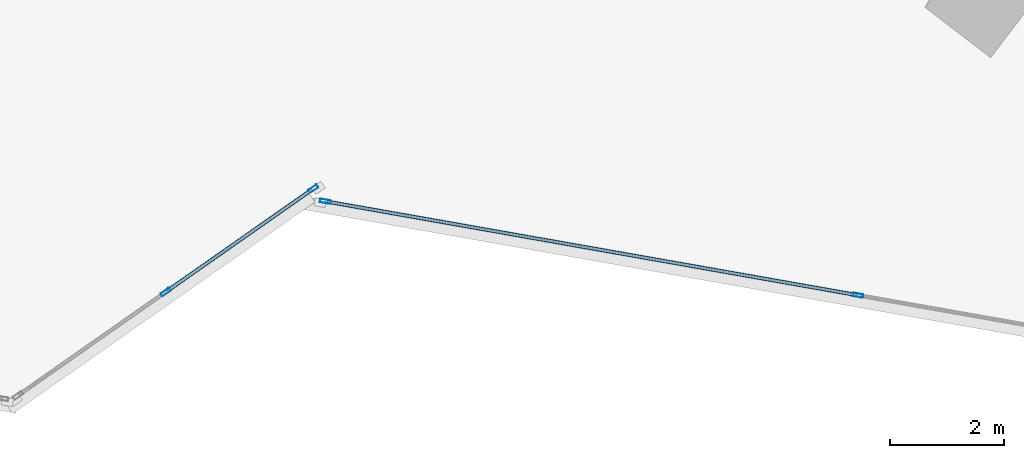
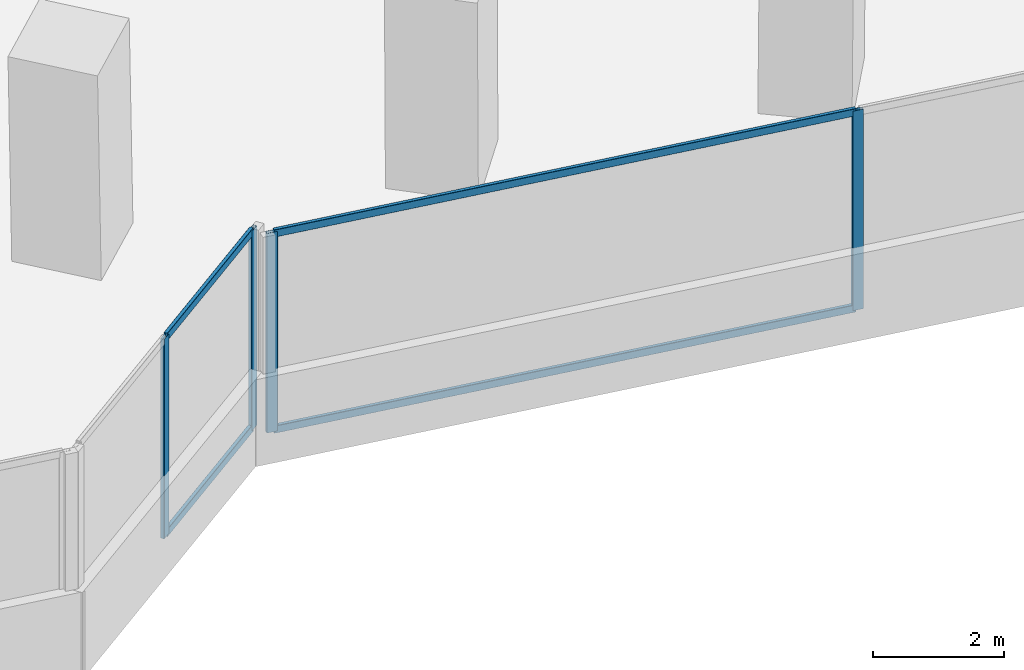
# One storey, part 7 of 24: 8 members, 2 elements without a shape of their own.
"""IFC4 building model written with IfcOpenShell, lengths in metres."""

from ifc_helpers import new_model, si_unit, direction, frame, origin, origin_2d, place, context, subcontext, project, spatial, hollow_rectangle, extrude, source, transform, mapped, material, material_profile, profile_set, type_object, element, aggregate, save


model = new_model("IFC4")

# Units and contexts
model_context = context("Model", 3, precision=1e-05, world=origin(), true_north=direction((0.0, 1.0)))
body_context = subcontext(model_context, "Body", "Model", "MODEL_VIEW")
ifc_project = project(units=[si_unit("LENGTHUNIT", "METRE"), si_unit("AREAUNIT", "SQUARE_METRE"), si_unit("VOLUMEUNIT", "CUBIC_METRE"), si_unit("PLANEANGLEUNIT", "RADIAN"), si_unit("MASSUNIT", "GRAM", prefix="KILO")], contexts=[model_context])

# Site, building, storey
site_placement = place(None, origin())
site = spatial("IfcSite", under=ifc_project, at=site_placement, CompositionType="ELEMENT")
building_placement = place(site_placement, origin())
building = spatial("IfcBuilding", under=site, at=building_placement, Name="Torre Montelarca", CompositionType="ELEMENT")
storey_placement = place(building_placement, frame((0.0, 0.0, 79.0)))
storey = spatial("IfcBuildingStorey", under=building, at=storey_placement, Name="L17", CompositionType="ELEMENT", Elevation=79.0)

# Curtain wall, members
ifc_material_1 = material(Name="Insulated low-E laminated glass", Category="glass")
curtain_wall_type = type_object("IfcCurtainWallType", Name="CW-SYS-Z1", PredefinedType="USERDEFINED", material=ifc_material_1)
curtain_wall_1_placement = place(storey_placement, origin())
curtain_wall_1 = element("IfcCurtainWall", 1, at=curtain_wall_1_placement, inside=storey, type_object=curtain_wall_type, Name="L17 Curtain Wall Run CW-T3-L17-E02-B1", ObjectType="UNITISED GLAZING", PredefinedType="USERDEFINED")
ifc_material_2 = material(Name="Anodised aluminium AA 6063-T6", Category="aluminium")
ifc_material_profile_1 = material_profile(ifc_material_2, hollow_rectangle(XDim=0.06494140625, YDim=0.139892578125, WallThickness=0.00390625, InnerFilletRadius=0.00390625, OuterFilletRadius=0.008056640625, at=origin_2d()), Name="ALU65X140X4", Category="aluminium")
ifc_profile_set_1 = profile_set([ifc_material_profile_1], Name="Anodised aluminium AA 6063-T6")
member_type_1 = type_object("IfcMemberType", Name="CWT-ALU140", PredefinedType="USERDEFINED", material=ifc_profile_set_1)
shared_shape_1 = source(origin(), body_context, "Body", "SweptSolid", [
    extrude(hollow_rectangle(XDim=0.06494140625, YDim=0.139892578125, WallThickness=0.00390625, InnerFilletRadius=0.00390625, OuterFilletRadius=0.008056640625, at=origin_2d()), origin(), (0.0, 0.0, 1.0), 3.1025390625),
])
member_1_placement = place(storey_placement, frame((31.783203125, 14.239501953125, 0.032470703125), z_axis=(0.819157977242, 0.573567963123, 0.0), x_axis=(-0.573567963123, 0.819157977242, 0.0)))
member_1 = element("IfcMember", 2, at=member_1_placement, type_object=member_type_1, Name="CW transom 2.1", ObjectType="TRANSOM", PredefinedType="USERDEFINED", context=body_context, shape_type="MappedRepresentation", body=[
    mapped(shared_shape_1, transform((0.0, 0.0, 0.0), scale=1.0)),
])
member_2_placement = place(storey_placement, frame((31.783203125, 14.239501953125, 3.6875), z_axis=(0.819157977242, 0.573567963123, 0.0), x_axis=(-0.573567963123, 0.819157977242, 0.0)))
member_2 = element("IfcMember", 3, at=member_2_placement, type_object=member_type_1, Name="CW transom 2.2", ObjectType="TRANSOM", PredefinedType="USERDEFINED", context=body_context, shape_type="MappedRepresentation", body=[
    mapped(shared_shape_1, transform((0.0, 0.0, 0.0), scale=1.0)),
])

curtain_wall_2_placement = place(storey_placement, origin())
curtain_wall_2 = element("IfcCurtainWall", 4, at=curtain_wall_2_placement, inside=storey, type_object=curtain_wall_type, Name="L17 Curtain Wall Run CW-T3-L17-E04-B1", ObjectType="UNITISED GLAZING", PredefinedType="USERDEFINED")
shared_shape_2 = source(origin(), body_context, "Body", "SweptSolid", [
    extrude(hollow_rectangle(XDim=0.06494140625, YDim=0.139892578125, WallThickness=0.00390625, InnerFilletRadius=0.00390625, OuterFilletRadius=0.008056640625, at=origin_2d()), origin(), (0.0, 0.0, 1.0), 9.448486328125),
])
member_3_placement = place(storey_placement, frame((34.5947265625, 15.81005859375, 0.032470703125), z_axis=(0.984809300493, -0.173639401236, 0.0), x_axis=(0.173639401236, 0.984809300493, 0.0)))
member_3 = element("IfcMember", 5, at=member_3_placement, type_object=member_type_1, Name="CW transom 1.1", ObjectType="TRANSOM", PredefinedType="USERDEFINED", context=body_context, shape_type="MappedRepresentation", body=[
    mapped(shared_shape_2, transform((0.0, 0.0, 0.0), scale=1.0)),
])
member_4_placement = place(storey_placement, frame((34.5947265625, 15.81005859375, 3.6875), z_axis=(0.984809300493, -0.173639401236, 0.0), x_axis=(0.173639401236, 0.984809300493, 0.0)))
member_4 = element("IfcMember", 6, at=member_4_placement, type_object=member_type_1, Name="CW transom 1.2", ObjectType="TRANSOM", PredefinedType="USERDEFINED", context=body_context, shape_type="MappedRepresentation", body=[
    mapped(shared_shape_2, transform((0.0, 0.0, 0.0), scale=1.0)),
])

# Member
ifc_material_profile_2 = material_profile(ifc_material_2, hollow_rectangle(XDim=0.06494140625, YDim=0.179931640625, WallThickness=0.00390625, InnerFilletRadius=0.00390625, OuterFilletRadius=0.008056640625, at=origin_2d()), Name="ALU65X180X4", Category="aluminium")
ifc_profile_set_2 = profile_set([ifc_material_profile_2], Name="Anodised aluminium AA 6063-T6")
member_type_2 = type_object("IfcMemberType", Name="CWM-ALU180", PredefinedType="MULLION", material=ifc_profile_set_2)
shared_shape_3 = source(origin(), body_context, "Body", "SweptSolid", [
    extrude(hollow_rectangle(XDim=0.06494140625, YDim=0.179931640625, WallThickness=0.00390625, InnerFilletRadius=0.00390625, OuterFilletRadius=0.008056640625, at=origin_2d()), origin(), (0.0, 0.0, 1.0), 3.719970703125),
])
member_5_placement = place(storey_placement, frame((31.756591796875, 14.220947265625, 0.0), z_axis=(0.0, 0.0, 1.0), x_axis=(-0.573560911072, 0.819162914987, 0.0)))
member_5 = element("IfcMember", 7, at=member_5_placement, type_object=member_type_2, Name="CW mullion 2", PredefinedType="MULLION", context=body_context, shape_type="MappedRepresentation", body=[
    mapped(shared_shape_3, transform((0.0, 0.0, 0.0), scale=1.0)),
])

member_6_placement = place(storey_placement, frame((34.351318359375, 16.03759765625, 0.0), z_axis=(0.0, 0.0, 1.0), x_axis=(-0.573560911072, 0.819162914987, 0.0)))
member_6 = element("IfcMember", 8, at=member_6_placement, type_object=member_type_2, Name="CW mullion 3", PredefinedType="MULLION", context=body_context, shape_type="MappedRepresentation", body=[
    mapped(shared_shape_3, transform((0.0, 0.0, 0.0), scale=1.0)),
])

aggregate(curtain_wall_1, [member_5, member_6, member_1, member_2])

member_7_placement = place(storey_placement, frame((34.5625, 15.815673828125, 0.0), z_axis=(0.0, 0.0, 1.0), x_axis=(0.173643103331, 0.984808647741, 0.0)))
member_7 = element("IfcMember", 9, at=member_7_placement, type_object=member_type_2, Name="CW mullion 1", PredefinedType="MULLION", context=body_context, shape_type="MappedRepresentation", body=[
    mapped(shared_shape_3, transform((0.0, 0.0, 0.0), scale=1.0)),
])

member_8_placement = place(storey_placement, frame((43.931640625, 14.163818359375, 0.0), z_axis=(0.0, 0.0, 1.0), x_axis=(0.173643103331, 0.984808647741, 0.0)))
member_8 = element("IfcMember", 10, at=member_8_placement, type_object=member_type_2, Name="CW mullion 2", PredefinedType="MULLION", context=body_context, shape_type="MappedRepresentation", body=[
    mapped(shared_shape_3, transform((0.0, 0.0, 0.0), scale=1.0)),
])

aggregate(curtain_wall_2, [member_7, member_8, member_3, member_4])

save(model, "model.ifc")
